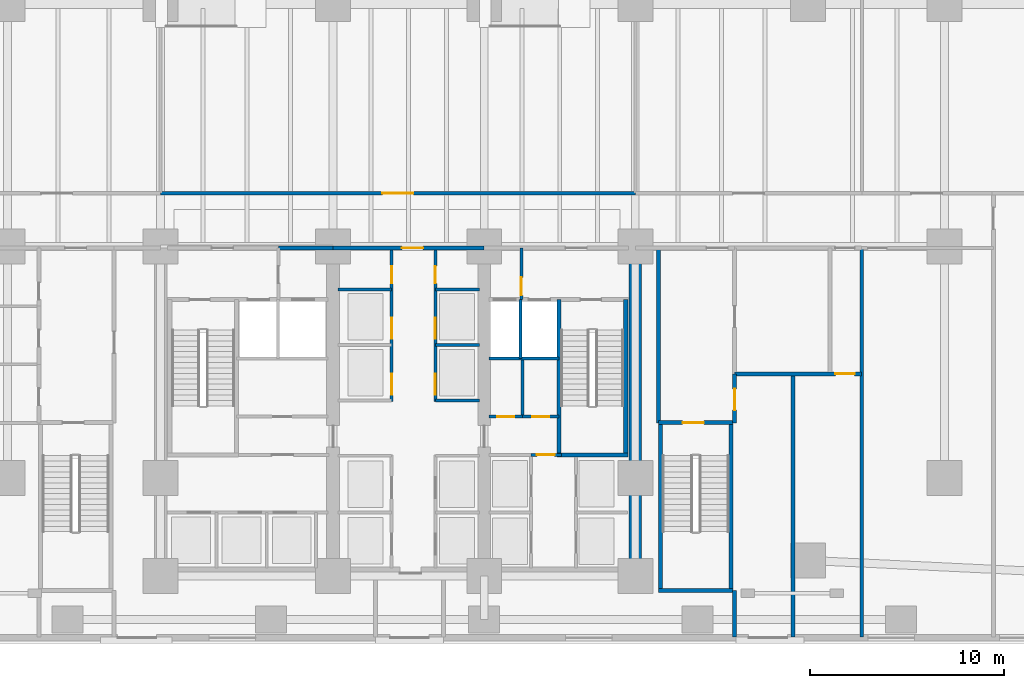
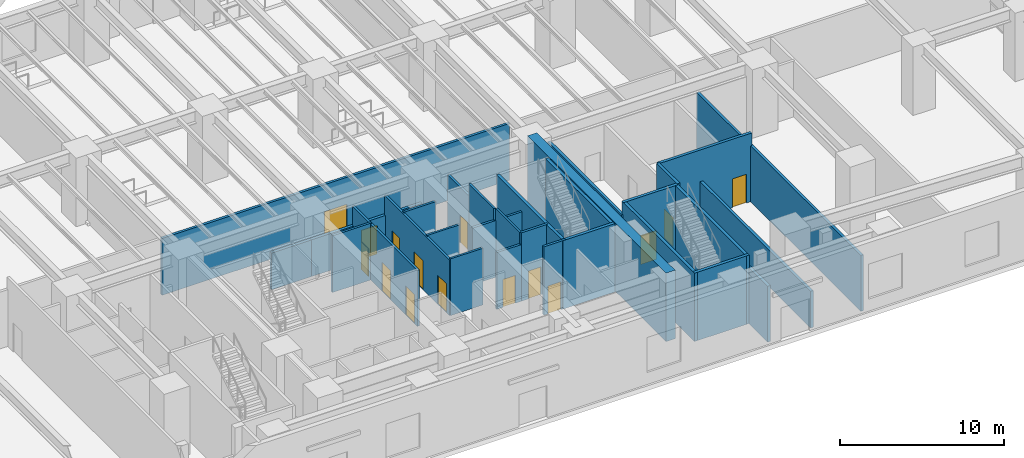
# One storey, part 12 of 19: 30 walls, 15 doors, 15 openings.
"""IFC4 building model written with IfcOpenShell, lengths in metres."""

from ifc_helpers import new_model, si_unit, direction, frame, frame_2d, origin, place, context, subcontext, project, spatial, rectangle, extrude, material, layer, layer_set, type_object, element, fill, save


model = new_model("IFC4")

# Units and contexts
model_context = context("Model", 3, precision=1e-05, world=origin(), true_north=direction((0.0, 1.0)))
body_context = subcontext(model_context, "Body", "Model", "MODEL_VIEW")
ifc_project = project(units=[si_unit("LENGTHUNIT", "METRE"), si_unit("AREAUNIT", "SQUARE_METRE"), si_unit("VOLUMEUNIT", "CUBIC_METRE"), si_unit("PLANEANGLEUNIT", "RADIAN"), si_unit("MASSUNIT", "GRAM", prefix="KILO")], contexts=[model_context])

# Site, building, storey
site_placement = place(None, origin())
site = spatial("IfcSite", under=ifc_project, at=site_placement, CompositionType="ELEMENT")
building_placement = place(site_placement, origin())
building = spatial("IfcBuilding", under=site, at=building_placement, Name="Qalmaran Belvedere Hotel", CompositionType="ELEMENT")
storey_placement = place(building_placement, origin())
storey = spatial("IfcBuildingStorey", under=building, at=storey_placement, Name="L00", CompositionType="ELEMENT", Elevation=0.0)

# Walls
ifc_material_1 = material(Name="Concrete C60/75", Category="concrete")
ifc_layer_1 = layer(ifc_material_1, 0.64990234375, Name="Concrete C60/75")
ifc_layer_set_1 = layer_set([ifc_layer_1], Name="Concrete C60/75")
wall_type_1 = type_object("IfcWallType", Name="WL-CORE-650-C60", PredefinedType="SHEAR", material=ifc_layer_set_1)
wall_1_placement = place(storey_placement, frame((44.800048828125, 3.5, 0.0), z_axis=(0.0, 0.0, 1.0), x_axis=(0.0, 1.0, 0.0)))
element("IfcWall", 1, at=wall_1_placement, inside=storey, type_object=wall_type_1, Name="L00 East Core Shear Wall", PredefinedType="SHEAR", context=body_context, shape_type="SweptSolid", body=[
    extrude(rectangle(XDim=16.89990234375, YDim=0.64990234375, at=frame_2d((8.449951171875, 0.0))), origin(), (0.0, 0.0, 1.0), 5.10009765625),
])
ifc_material_2 = material(Name="Gypsum Stud Partition")
ifc_layer_2 = layer(ifc_material_2, 0.14990234375, Name="Gypsum Stud Partition")
ifc_layer_set_2 = layer_set([ifc_layer_2], Name="Gypsum Stud Partition")
wall_type_2 = type_object("IfcWallType", Name="WL-INT-150-EI120", PredefinedType="PARTITIONING", material=ifc_layer_set_2)
wall_2_placement = place(storey_placement, frame((38.8798828125, 14.719970703125, 0.0), z_axis=(0.0, 0.0, 1.0), x_axis=(0.0, 1.0, 0.0)))
element("IfcWall", 2, at=wall_2_placement, inside=storey, type_object=wall_type_2, Name="L00 Partition WL-FF2M-L00", PredefinedType="PARTITIONING", context=body_context, shape_type="SweptSolid", body=[
    extrude(rectangle(XDim=3.0400390625, YDim=0.14990234375, at=frame_2d((1.52001953125, 0.0))), origin(), (0.0, 0.0, 1.0), 5.10009765625),
])
for number, where, z_axis, x_axis, name in (
    (3, (34.47998046875, 12.550048828125, 0.0), (0.0, 0.0, 1.0), (1.0, 0.0, 0.0), "L00 Partition WL-PME-L00-125"),
    (4, (34.47998046875, 15.419921875, 0.0), (0.0, 0.0, 1.0), (1.0, 0.0, 0.0), "L00 Partition WL-PME-L00-154"),
):
    element("IfcWall", number, at=place(storey_placement, frame(where, z_axis=z_axis, x_axis=x_axis)), inside=storey, type_object=wall_type_2, Name=name, PredefinedType="PARTITIONING", context=body_context, shape_type="SweptSolid", body=[
        extrude(rectangle(XDim=2.27001953125, YDim=0.14990234375, at=frame_2d((1.135009765625, 0.0))), origin(), (0.0, 0.0, 1.0), 4.22998046875),
    ])
wall_3_placement = place(storey_placement, frame((29.449951171875, 18.280029296875, 0.0), z_axis=(0.0, 0.0, 1.0), x_axis=(1.0, 0.0, 0.0)))
element("IfcWall", 5, at=wall_3_placement, inside=storey, type_object=wall_type_2, Name="L00 Partition WL-PMW-L00-182", PredefinedType="PARTITIONING", context=body_context, shape_type="SweptSolid", body=[
    extrude(rectangle(XDim=2.77001953125, YDim=0.14990234375, at=frame_2d((1.385009765625, 0.0))), origin(), (0.0, 0.0, 1.0), 4.22998046875),
])
wall_4_placement = place(storey_placement, frame((34.47998046875, 18.280029296875, 0.0), z_axis=(0.0, 0.0, 1.0), x_axis=(1.0, 0.0, 0.0)))
element("IfcWall", 6, at=wall_4_placement, inside=storey, type_object=wall_type_2, Name="L00 Partition WL-PME-L00-182", PredefinedType="PARTITIONING", context=body_context, shape_type="SweptSolid", body=[
    extrude(rectangle(XDim=2.27001953125, YDim=0.14990234375, at=frame_2d((1.135009765625, 0.0))), origin(), (0.0, 0.0, 1.0), 4.22998046875),
])
ifc_layer_3 = layer(ifc_material_2, 0.14990234375, Name="Gypsum Stud Partition")
ifc_layer_set_3 = layer_set([ifc_layer_3], Name="Gypsum Stud Partition")
wall_type_3 = type_object("IfcWallType", Name="WL-INT-150-EI60", PredefinedType="PARTITIONING", material=ifc_layer_set_3)
wall_5_placement = place(storey_placement, frame((38.98291015625, 11.719970703125, 0.0), z_axis=(0.0, 0.0, 1.0), x_axis=(0.0, 1.0, 0.0)))
element("IfcWall", 7, at=wall_5_placement, inside=storey, type_object=wall_type_3, Name="L00 Partition WL-L00-KEV1", PredefinedType="PARTITIONING", context=body_context, shape_type="SweptSolid", body=[
    extrude(rectangle(XDim=2.929931640625, YDim=0.14990234375, at=frame_2d((1.46484375, 0.0))), origin(), (0.0, 0.0, 1.0), 5.10009765625),
])

# Wall, opening, door
ifc_layer_4 = layer(ifc_material_2, 0.159912109375, Name="Gypsum Stud Partition")
ifc_layer_set_4 = layer_set([ifc_layer_4], Name="Gypsum Stud Partition")
wall_type_4 = type_object("IfcWallType", Name="WL-INT-160-EI120", PredefinedType="PARTITIONING", material=ifc_layer_set_4)
wall_6_placement = place(storey_placement, frame((38.919921875, 17.760009765625, 0.0), z_axis=(0.0, 0.0, 1.0), x_axis=(0.0, 1.0, 0.0)))
wall_6 = element("IfcWall", 8, at=wall_6_placement, inside=storey, type_object=wall_type_4, Name="L00 Partition WL-FFSV2-L00", PredefinedType="PARTITIONING", context=body_context, shape_type="SweptSolid", body=[
    extrude(rectangle(XDim=2.659912109375, YDim=0.159912109375, at=frame_2d((1.330078125, 0.0))), origin(), (0.0, 0.0, 1.0), 4.1640625),
])
opening_1_placement = place(wall_6_placement, frame((1.139892578125, 0.0, 0.0), z_axis=(0.0, 0.0, 1.0), x_axis=(-1.0, 0.0, 0.0)))
opening_1 = element("IfcOpeningElement", 9, at=opening_1_placement, cuts=wall_6, Name="Opening FD60S1", PredefinedType="OPENING", context=body_context, shape_type="SweptSolid", body=[
    extrude(rectangle(XDim=0.919921875, YDim=2.080078125, at=frame_2d((0.4599609375, 1.0400390625))), frame((0.0, 0.08984375, 0.0), z_axis=(0.0, -1.0, 0.0), x_axis=(1.0, 0.0, 0.0)), (0.0, 0.0, 1.0), 0.179931640625),
])
ifc_material_3 = material(Name="Engineered Oak Veneer")
door_type_1 = type_object("IfcDoorType", Name="DR-FD60S-920X2080", OperationType="NOTDEFINED", PredefinedType="DOOR", material=ifc_material_3)
door_1_placement = place(opening_1_placement, origin())
door_1 = element("IfcDoor", 10, at=door_1_placement, inside=storey, type_object=door_type_1, Name="L00 Service Lobby East Door", OperationType="SINGLE_SWING_RIGHT", OverallHeight=2.080078125, OverallWidth=0.919921875, PredefinedType="DOOR", context=body_context, shape_type="SweptSolid", body=[
    extrude(rectangle(XDim=0.919921875, YDim=2.080078125, at=frame_2d((0.4599609375, 1.0400390625))), frame((0.0, 0.02490234375, 0.0), z_axis=(0.0, -1.0, 0.0), x_axis=(1.0, 0.0, 0.0)), (0.0, 0.0, 1.0), 0.050048828125),
])
fill(opening_1, door_1)

# Wall
wall_7_placement = place(storey_placement, frame((37.25, 14.719970703125, 0.0), z_axis=(0.0, 0.0, 1.0), x_axis=(1.0, 0.0, 0.0)))
element("IfcWall", 11, at=wall_7_placement, inside=storey, type_object=wall_type_4, Name="L00 Partition WL-FF2S-L00", PredefinedType="PARTITIONING", context=body_context, shape_type="SweptSolid", body=[
    extrude(rectangle(XDim=3.610107421875, YDim=0.159912109375, at=frame_2d((1.80517578125, 0.0))), origin(), (0.0, 0.0, 1.0), 4.22998046875),
])

# Wall, opening, door
wall_8_placement = place(storey_placement, frame((39.419921875, 9.739990234375, 0.0), z_axis=(0.0, 0.0, 1.0), x_axis=(1.0, 0.0, 0.0)))
wall_8 = element("IfcWall", 12, at=wall_8_placement, inside=storey, type_object=wall_type_4, Name="L00 Partition WL-PHNL-L00", PredefinedType="PARTITIONING", context=body_context, shape_type="SweptSolid", body=[
    extrude(rectangle(XDim=1.56005859375, YDim=0.159912109375, at=frame_2d((0.780029296875, 0.0))), origin(), (0.0, 0.0, 1.0), 5.10009765625),
])
opening_2_placement = place(wall_8_placement, frame((0.300048828125, 0.0, 0.0)))
opening_2 = element("IfcOpeningElement", 13, at=opening_2_placement, cuts=wall_8, Name="Opening FD60S1", PredefinedType="OPENING", context=body_context, shape_type="SweptSolid", body=[
    extrude(rectangle(XDim=0.919921875, YDim=2.080078125, at=frame_2d((0.4599609375, 1.0400390625))), frame((0.0, 0.08984375, 0.0), z_axis=(0.0, -1.0, 0.0), x_axis=(1.0, 0.0, 0.0)), (0.0, 0.0, 1.0), 0.179931640625),
])
door_2_placement = place(opening_2_placement, origin())
door_2 = element("IfcDoor", 14, at=door_2_placement, inside=storey, type_object=door_type_1, Name="L00 High-Rise Lift Lobby Passage Door", OperationType="SINGLE_SWING_RIGHT", OverallHeight=2.080078125, OverallWidth=0.919921875, PredefinedType="DOOR", context=body_context, shape_type="SweptSolid", body=[
    extrude(rectangle(XDim=0.919921875, YDim=2.080078125, at=frame_2d((0.4599609375, 1.0400390625))), frame((0.0, 0.02490234375, 0.0), z_axis=(0.0, -1.0, 0.0), x_axis=(1.0, 0.0, 0.0)), (0.0, 0.0, 1.0), 0.050048828125),
])
fill(opening_2, door_2)

# Wall, openings, doors
wall_9_placement = place(storey_placement, frame((32.219970703125, 12.5, 0.0), z_axis=(0.0, 0.0, 1.0), x_axis=(0.0, 1.0, 0.0)))
wall_9 = element("IfcWall", 15, at=wall_9_placement, inside=storey, type_object=wall_type_4, Name="L00 Partition WL-CLBWN-L00", PredefinedType="PARTITIONING", context=body_context, shape_type="SweptSolid", body=[
    extrude(rectangle(XDim=7.919921875, YDim=0.159912109375, at=frame_2d((3.9599609375, 0.0))), origin(), (0.0, 0.0, 1.0), 4.1640625),
])
opening_3_placement = place(wall_9_placement, frame((1.43017578125, 0.0, 0.0), z_axis=(0.0, 0.0, 1.0), x_axis=(-1.0, 0.0, 0.0)))
opening_3 = element("IfcOpeningElement", 16, at=opening_3_placement, cuts=wall_9, Name="Opening LD-P1", PredefinedType="OPENING", context=body_context, shape_type="SweptSolid", body=[
    extrude(rectangle(XDim=1.080078125, YDim=2.159912109375, at=frame_2d((0.5400390625, 1.080078125))), frame((0.0, 0.08984375, 0.0), z_axis=(0.0, -1.0, 0.0), x_axis=(1.0, 0.0, 0.0)), (0.0, 0.0, 1.0), 0.179931640625),
])
opening_4_placement = place(wall_9_placement, frame((4.330078125, 0.0, 0.0), z_axis=(0.0, 0.0, 1.0), x_axis=(-1.0, 0.0, 0.0)))
opening_4 = element("IfcOpeningElement", 17, at=opening_4_placement, cuts=wall_9, Name="Opening LD-P1", PredefinedType="OPENING", context=body_context, shape_type="SweptSolid", body=[
    extrude(rectangle(XDim=1.080078125, YDim=2.159912109375, at=frame_2d((0.5400390625, 1.080078125))), frame((0.0, 0.08984375, 0.0), z_axis=(0.0, -1.0, 0.0), x_axis=(1.0, 0.0, 0.0)), (0.0, 0.0, 1.0), 0.179931640625),
])
opening_5_placement = place(wall_9_placement, frame((6.10009765625, 0.0, 0.0)))
opening_5 = element("IfcOpeningElement", 18, at=opening_5_placement, cuts=wall_9, Name="Opening FD60B", PredefinedType="OPENING", context=body_context, shape_type="SweptSolid", body=[
    extrude(rectangle(XDim=0.8798828125, YDim=2.080078125, at=frame_2d((0.43994140625, 1.0400390625))), frame((0.0, 0.08984375, 0.0), z_axis=(0.0, -1.0, 0.0), x_axis=(1.0, 0.0, 0.0)), (0.0, 0.0, 1.0), 0.179931640625),
])
ifc_material_4 = material(Name="Steel S355JR", Category="steel")
door_type_2 = type_object("IfcDoorType", Name="DR-FD60B-880X2080", OperationType="NOTDEFINED", PredefinedType="DOOR", material=ifc_material_4)
door_3_placement = place(opening_5_placement, origin())
door_3 = element("IfcDoor", 19, at=door_3_placement, inside=storey, type_object=door_type_2, Name="L00 West Riser Access Door", OperationType="SINGLE_SWING_LEFT", OverallHeight=2.080078125, OverallWidth=0.8798828125, PredefinedType="DOOR", context=body_context, shape_type="SweptSolid", body=[
    extrude(rectangle(XDim=0.8798828125, YDim=2.080078125, at=frame_2d((0.43994140625, 1.0400390625))), frame((0.0, 0.02490234375, 0.0), z_axis=(0.0, -1.0, 0.0), x_axis=(1.0, 0.0, 0.0)), (0.0, 0.0, 1.0), 0.050048828125),
])
fill(opening_5, door_3)
ifc_material_5 = material(Name="Stainless Steel 1.4401", Category="steel")
door_type_3 = type_object("IfcDoorType", Name="DR-LIFT-P1-1080X2160", OperationType="DOUBLE_DOOR_SLIDING", PredefinedType="DOOR", material=ifc_material_5)
door_4_placement = place(opening_3_placement, origin())
door_4 = element("IfcDoor", 20, at=door_4_placement, inside=storey, type_object=door_type_3, Name="L00 PM1 Lift Landing Door", OperationType="DOUBLE_DOOR_SLIDING", OverallHeight=2.159912109375, OverallWidth=1.080078125, PredefinedType="DOOR", context=body_context, shape_type="SweptSolid", body=[
    extrude(rectangle(XDim=1.080078125, YDim=2.159912109375, at=frame_2d((0.5400390625, 1.080078125))), frame((0.0, 0.02490234375, 0.0), z_axis=(0.0, -1.0, 0.0), x_axis=(1.0, 0.0, 0.0)), (0.0, 0.0, 1.0), 0.050048828125),
])
fill(opening_3, door_4)
door_5_placement = place(opening_4_placement, origin())
door_5 = element("IfcDoor", 21, at=door_5_placement, inside=storey, type_object=door_type_3, Name="L00 PM2 Lift Landing Door", OperationType="DOUBLE_DOOR_SLIDING", OverallHeight=2.159912109375, OverallWidth=1.080078125, PredefinedType="DOOR", context=body_context, shape_type="SweptSolid", body=[
    extrude(rectangle(XDim=1.080078125, YDim=2.159912109375, at=frame_2d((0.5400390625, 1.080078125))), frame((0.0, 0.02490234375, 0.0), z_axis=(0.0, -1.0, 0.0), x_axis=(1.0, 0.0, 0.0)), (0.0, 0.0, 1.0), 0.050048828125),
])
fill(opening_4, door_5)

wall_10_placement = place(storey_placement, frame((34.47998046875, 12.5, 0.0), z_axis=(0.0, 0.0, 1.0), x_axis=(0.0, 1.0, 0.0)))
wall_10 = element("IfcWall", 22, at=wall_10_placement, inside=storey, type_object=wall_type_4, Name="L00 Partition WL-CLBEN-L00", PredefinedType="PARTITIONING", context=body_context, shape_type="SweptSolid", body=[
    extrude(rectangle(XDim=7.919921875, YDim=0.159912109375, at=frame_2d((3.9599609375, 0.0))), origin(), (0.0, 0.0, 1.0), 4.1640625),
])
opening_6_placement = place(wall_10_placement, frame((0.35009765625, 0.0, 0.0)))
opening_6 = element("IfcOpeningElement", 23, at=opening_6_placement, cuts=wall_10, Name="Opening LD-P1", PredefinedType="OPENING", context=body_context, shape_type="SweptSolid", body=[
    extrude(rectangle(XDim=1.080078125, YDim=2.159912109375, at=frame_2d((0.5400390625, 1.080078125))), frame((0.0, 0.08984375, 0.0), z_axis=(0.0, -1.0, 0.0), x_axis=(1.0, 0.0, 0.0)), (0.0, 0.0, 1.0), 0.179931640625),
])
opening_7_placement = place(wall_10_placement, frame((3.25, 0.0, 0.0)))
opening_7 = element("IfcOpeningElement", 24, at=opening_7_placement, cuts=wall_10, Name="Opening LD-P1", PredefinedType="OPENING", context=body_context, shape_type="SweptSolid", body=[
    extrude(rectangle(XDim=1.080078125, YDim=2.159912109375, at=frame_2d((0.5400390625, 1.080078125))), frame((0.0, 0.08984375, 0.0), z_axis=(0.0, -1.0, 0.0), x_axis=(1.0, 0.0, 0.0)), (0.0, 0.0, 1.0), 0.179931640625),
])
opening_8_placement = place(wall_10_placement, frame((6.97998046875, 0.0, 0.0), z_axis=(0.0, 0.0, 1.0), x_axis=(-1.0, 0.0, 0.0)))
opening_8 = element("IfcOpeningElement", 25, at=opening_8_placement, cuts=wall_10, Name="Opening FD60B", PredefinedType="OPENING", context=body_context, shape_type="SweptSolid", body=[
    extrude(rectangle(XDim=0.8798828125, YDim=2.080078125, at=frame_2d((0.43994140625, 1.0400390625))), frame((0.0, 0.08984375, 0.0), z_axis=(0.0, -1.0, 0.0), x_axis=(1.0, 0.0, 0.0)), (0.0, 0.0, 1.0), 0.179931640625),
])
door_6_placement = place(opening_8_placement, origin())
door_6 = element("IfcDoor", 26, at=door_6_placement, inside=storey, type_object=door_type_2, Name="L00 East Riser Access Door", OperationType="SINGLE_SWING_RIGHT", OverallHeight=2.080078125, OverallWidth=0.8798828125, PredefinedType="DOOR", context=body_context, shape_type="SweptSolid", body=[
    extrude(rectangle(XDim=0.8798828125, YDim=2.080078125, at=frame_2d((0.43994140625, 1.0400390625))), frame((0.0, 0.02490234375, 0.0), z_axis=(0.0, -1.0, 0.0), x_axis=(1.0, 0.0, 0.0)), (0.0, 0.0, 1.0), 0.050048828125),
])
fill(opening_8, door_6)
door_7_placement = place(opening_6_placement, origin())
door_7 = element("IfcDoor", 27, at=door_7_placement, inside=storey, type_object=door_type_3, Name="L00 PM3 Lift Landing Door", OperationType="DOUBLE_DOOR_SLIDING", OverallHeight=2.159912109375, OverallWidth=1.080078125, PredefinedType="DOOR", context=body_context, shape_type="SweptSolid", body=[
    extrude(rectangle(XDim=1.080078125, YDim=2.159912109375, at=frame_2d((0.5400390625, 1.080078125))), frame((0.0, 0.02490234375, 0.0), z_axis=(0.0, -1.0, 0.0), x_axis=(1.0, 0.0, 0.0)), (0.0, 0.0, 1.0), 0.050048828125),
])
fill(opening_6, door_7)
door_8_placement = place(opening_7_placement, origin())
door_8 = element("IfcDoor", 28, at=door_8_placement, inside=storey, type_object=door_type_3, Name="L00 PM4 Lift Landing Door", OperationType="DOUBLE_DOOR_SLIDING", OverallHeight=2.159912109375, OverallWidth=1.080078125, PredefinedType="DOOR", context=body_context, shape_type="SweptSolid", body=[
    extrude(rectangle(XDim=1.080078125, YDim=2.159912109375, at=frame_2d((0.5400390625, 1.080078125))), frame((0.0, 0.02490234375, 0.0), z_axis=(0.0, -1.0, 0.0), x_axis=(1.0, 0.0, 0.0)), (0.0, 0.0, 1.0), 0.050048828125),
])
fill(opening_7, door_8)

# Wall, opening, door
ifc_layer_5 = layer(ifc_material_2, 0.159912109375, Name="Gypsum Stud Partition")
ifc_layer_set_5 = layer_set([ifc_layer_5], Name="Gypsum Stud Partition")
wall_type_5 = type_object("IfcWallType", Name="WL-INT-160-EI60", PredefinedType="PARTITIONING", material=ifc_layer_set_5)
wall_11_placement = place(storey_placement, frame((37.25, 11.719970703125, 0.0), z_axis=(0.0, 0.0, 1.0), x_axis=(1.0, 0.0, 0.0)))
wall_11 = element("IfcWall", 29, at=wall_11_placement, inside=storey, type_object=wall_type_5, Name="L00 Partition WL-L00-KEE1", PredefinedType="PARTITIONING", context=body_context, shape_type="SweptSolid", body=[
    extrude(rectangle(XDim=1.73291015625, YDim=0.159912109375, at=frame_2d((0.866455078125, 0.0))), origin(), (0.0, 0.0, 1.0), 4.22998046875),
])
opening_9_placement = place(wall_11_placement, frame((0.426513671875, 0.0, 0.0)))
opening_9 = element("IfcOpeningElement", 30, at=opening_9_placement, cuts=wall_11, Name="Opening FD60B", PredefinedType="OPENING", context=body_context, shape_type="SweptSolid", body=[
    extrude(rectangle(XDim=0.8798828125, YDim=2.080078125, at=frame_2d((0.43994140625, 1.0400390625))), frame((0.0, 0.08984375, 0.0), z_axis=(0.0, -1.0, 0.0), x_axis=(1.0, 0.0, 0.0)), (0.0, 0.0, 1.0), 0.179931640625),
])
door_9_placement = place(opening_9_placement, origin())
door_9 = element("IfcDoor", 31, at=door_9_placement, inside=storey, type_object=door_type_2, Name="L00 Cleaner Equipment Store Door", OperationType="SINGLE_SWING_LEFT", OverallHeight=2.080078125, OverallWidth=0.8798828125, PredefinedType="DOOR", context=body_context, shape_type="SweptSolid", body=[
    extrude(rectangle(XDim=0.8798828125, YDim=2.080078125, at=frame_2d((0.43994140625, 1.0400390625))), frame((0.0, 0.02490234375, 0.0), z_axis=(0.0, -1.0, 0.0), x_axis=(1.0, 0.0, 0.0)), (0.0, 0.0, 1.0), 0.050048828125),
])
fill(opening_9, door_9)

wall_12_placement = place(storey_placement, frame((38.98291015625, 11.719970703125, 0.0), z_axis=(0.0, 0.0, 1.0), x_axis=(1.0, 0.0, 0.0)))
wall_12 = element("IfcWall", 32, at=wall_12_placement, inside=storey, type_object=wall_type_5, Name="L00 Partition WL-L00-KEE2", PredefinedType="PARTITIONING", context=body_context, shape_type="SweptSolid", body=[
    extrude(rectangle(XDim=1.877197265625, YDim=0.159912109375, at=frame_2d((0.9384765625, 0.0))), origin(), (0.0, 0.0, 1.0), 5.10009765625),
])
opening_10_placement = place(wall_12_placement, frame((0.49853515625, 0.0, 0.0)))
opening_10 = element("IfcOpeningElement", 33, at=opening_10_placement, cuts=wall_12, Name="Opening FD60B", PredefinedType="OPENING", context=body_context, shape_type="SweptSolid", body=[
    extrude(rectangle(XDim=0.8798828125, YDim=2.080078125, at=frame_2d((0.43994140625, 1.0400390625))), frame((0.0, 0.08984375, 0.0), z_axis=(0.0, -1.0, 0.0), x_axis=(1.0, 0.0, 0.0)), (0.0, 0.0, 1.0), 0.179931640625),
])
door_10_placement = place(opening_10_placement, origin())
door_10 = element("IfcDoor", 34, at=door_10_placement, inside=storey, type_object=door_type_2, Name="L00 Low Voltage Switch Room Door", OperationType="SINGLE_SWING_RIGHT", OverallHeight=2.080078125, OverallWidth=0.8798828125, PredefinedType="DOOR", context=body_context, shape_type="SweptSolid", body=[
    extrude(rectangle(XDim=0.8798828125, YDim=2.080078125, at=frame_2d((0.43994140625, 1.0400390625))), frame((0.0, 0.02490234375, 0.0), z_axis=(0.0, -1.0, 0.0), x_axis=(1.0, 0.0, 0.0)), (0.0, 0.0, 1.0), 0.050048828125),
])
fill(opening_10, door_10)

# Wall
ifc_layer_6 = layer(ifc_material_2, 0.179931640625, Name="Gypsum Stud Partition")
ifc_layer_set_6 = layer_set([ifc_layer_6], Name="Gypsum Stud Partition")
wall_type_6 = type_object("IfcWallType", Name="WL-INT-180-EI60", PredefinedType="PARTITIONING", material=ifc_layer_set_6)
wall_13_placement = place(storey_placement, frame((56.47998046875, 0.35009765625, 0.0), z_axis=(0.0, 0.0, 1.0), x_axis=(0.0, 1.0, 0.0)))
element("IfcWall", 35, at=wall_13_placement, inside=storey, type_object=wall_type_6, Name="L00 Partition WL-L00-VALW", PredefinedType="PARTITIONING", context=body_context, shape_type="SweptSolid", body=[
    extrude(rectangle(XDim=20.06982421875, YDim=0.179931640625, at=frame_2d((10.034912109375, 0.0))), origin(), (0.0, 0.0, 1.0), 4.1640625),
])

# Wall, opening, door
wall_14_placement = place(storey_placement, frame((20.300048828125, 23.25, 0.0), z_axis=(0.0, 0.0, 1.0), x_axis=(1.0, 0.0, 0.0)))
wall_14 = element("IfcWall", 36, at=wall_14_placement, inside=storey, type_object=wall_type_6, Name="L00 Partition WL-L00-GND2", PredefinedType="PARTITIONING", context=body_context, shape_type="SweptSolid", body=[
    extrude(rectangle(XDim=24.5, YDim=0.179931640625, at=frame_2d((12.25, 0.0))), origin(), (0.0, 0.0, 1.0), 4.22998046875),
])
opening_11_placement = place(wall_14_placement, frame((11.449951171875, 0.0, 0.0)))
opening_11 = element("IfcOpeningElement", 37, at=opening_11_placement, cuts=wall_14, Name="Opening FD60D", PredefinedType="OPENING", context=body_context, shape_type="SweptSolid", body=[
    extrude(rectangle(XDim=1.60009765625, YDim=2.219970703125, at=frame_2d((0.800048828125, 1.10986328125))), frame((0.0, 0.10009765625, 0.0), z_axis=(0.0, -1.0, 0.0), x_axis=(1.0, 0.0, 0.0)), (0.0, 0.0, 1.0), 0.199951171875),
])
door_type_4 = type_object("IfcDoorType", Name="DR-FD60D-1600X2220", OperationType="NOTDEFINED", PredefinedType="DOOR", material=ifc_material_3)
door_11_placement = place(opening_11_placement, origin())
door_11 = element("IfcDoor", 38, at=door_11_placement, inside=storey, type_object=door_type_4, Name="L00 Grand Hotel Entrance Lobby Door", OperationType="DOUBLE_DOOR_SINGLE_SWING", OverallHeight=2.219970703125, OverallWidth=1.60009765625, PredefinedType="DOOR", context=body_context, shape_type="SweptSolid", body=[
    extrude(rectangle(XDim=1.60009765625, YDim=2.219970703125, at=frame_2d((0.800048828125, 1.10986328125))), frame((0.0, 0.02490234375, 0.0), z_axis=(0.0, -1.0, 0.0), x_axis=(1.0, 0.0, 0.0)), (0.0, 0.0, 1.0), 0.050048828125),
])
fill(opening_11, door_11)

# Wall
ifc_material_6 = material(Name="Concrete C30/37 Blockwork", Category="masonry")
ifc_layer_7 = layer(ifc_material_6, 0.199951171875, Name="Concrete C30/37 Blockwork")
ifc_layer_set_7 = layer_set([ifc_layer_7], Name="Concrete C30/37 Blockwork")
wall_type_7 = type_object("IfcWallType", Name="WL-INT-200-EI120", PredefinedType="PARTITIONING", material=ifc_layer_set_7)
wall_15_placement = place(storey_placement, frame((26.3798828125, 20.419921875, 0.0), z_axis=(0.0, 0.0, 1.0), x_axis=(1.0, 0.0, 0.0)))
element("IfcWall", 39, at=wall_15_placement, inside=storey, type_object=wall_type_7, Name="L00 Partition WL-CN1B-L00", PredefinedType="PARTITIONING", context=body_context, shape_type="SweptSolid", body=[
    extrude(rectangle(XDim=2.820068359375, YDim=0.199951171875, at=frame_2d((1.41015625, 0.0))), origin(), (0.0, 0.0, 1.0), 2.734619140625),
])

# Wall, opening, door
wall_16_placement = place(storey_placement, frame((29.199951171875, 20.419921875, 0.0), z_axis=(0.0, 0.0, 1.0), x_axis=(1.0, 0.0, 0.0)))
wall_16 = element("IfcWall", 40, at=wall_16_placement, inside=storey, type_object=wall_type_7, Name="L00 Partition WL-CN2-L00", PredefinedType="PARTITIONING", context=body_context, shape_type="SweptSolid", body=[
    extrude(rectangle(XDim=7.800048828125, YDim=0.199951171875, at=frame_2d((3.89990234375, 0.0))), origin(), (0.0, 0.0, 1.0), 2.734619140625),
])
opening_12_placement = place(wall_16_placement, frame((3.550048828125, 0.0, 0.0)))
opening_12 = element("IfcOpeningElement", 41, at=opening_12_placement, cuts=wall_16, Name="Opening FD90", PredefinedType="OPENING", context=body_context, shape_type="SweptSolid", body=[
    extrude(rectangle(XDim=1.10009765625, YDim=2.14990234375, at=frame_2d((0.550048828125, 1.074951171875))), frame((0.0, 0.10986328125, 0.0), z_axis=(0.0, -1.0, 0.0), x_axis=(1.0, 0.0, 0.0)), (0.0, 0.0, 1.0), 0.219970703125),
])
door_type_5 = type_object("IfcDoorType", Name="DR-FD90-1100X2150", OperationType="NOTDEFINED", PredefinedType="DOOR", material=ifc_material_4)
door_12_placement = place(opening_12_placement, origin())
door_12 = element("IfcDoor", 42, at=door_12_placement, inside=storey, type_object=door_type_5, Name="L00 Central Lift Lobby Door", OperationType="SINGLE_SWING_RIGHT", OverallHeight=2.14990234375, OverallWidth=1.10009765625, PredefinedType="DOOR", context=body_context, shape_type="SweptSolid", body=[
    extrude(rectangle(XDim=1.10009765625, YDim=2.14990234375, at=frame_2d((0.550048828125, 1.074951171875))), frame((0.0, 0.02490234375, 0.0), z_axis=(0.0, -1.0, 0.0), x_axis=(1.0, 0.0, 0.0)), (0.0, 0.0, 1.0), 0.050048828125),
])
fill(opening_12, door_12)

# Wall
wall_17_placement = place(storey_placement, frame((46.0, 11.39990234375, 0.0), z_axis=(0.0, 0.0, 1.0), x_axis=(0.0, 1.0, 0.0)))
element("IfcWall", 43, at=wall_17_placement, inside=storey, type_object=wall_type_7, Name="L00 Partition WL-L00-STPE1", PredefinedType="PARTITIONING", context=body_context, shape_type="SweptSolid", body=[
    extrude(rectangle(XDim=9.02001953125, YDim=0.199951171875, at=frame_2d((4.510009765625, 0.0))), origin(), (0.0, 0.0, 1.0), 4.1640625),
])

# Wall, opening, door
wall_18_placement = place(storey_placement, frame((49.919921875, 11.39990234375, 0.0), z_axis=(0.0, 0.0, 1.0), x_axis=(0.0, 1.0, 0.0)))
wall_18 = element("IfcWall", 44, at=wall_18_placement, inside=storey, type_object=wall_type_7, Name="L00 Partition WL-L00-STPE2A", PredefinedType="PARTITIONING", context=body_context, shape_type="SweptSolid", body=[
    extrude(rectangle(XDim=2.52001953125, YDim=0.199951171875, at=frame_2d((1.260009765625, 0.0))), origin(), (0.0, 0.0, 1.0), 5.10009765625),
])
opening_13_placement = place(wall_18_placement, frame((1.75, 0.0, 0.0), z_axis=(0.0, 0.0, 1.0), x_axis=(-1.0, 0.0, 0.0)))
opening_13 = element("IfcOpeningElement", 45, at=opening_13_placement, cuts=wall_18, Name="Opening FD90", PredefinedType="OPENING", context=body_context, shape_type="SweptSolid", body=[
    extrude(rectangle(XDim=1.10009765625, YDim=2.14990234375, at=frame_2d((0.550048828125, 1.074951171875))), frame((0.0, 0.10986328125, 0.0), z_axis=(0.0, -1.0, 0.0), x_axis=(1.0, 0.0, 0.0)), (0.0, 0.0, 1.0), 0.219970703125),
])
door_13_placement = place(opening_13_placement, origin())
door_13 = element("IfcDoor", 46, at=door_13_placement, inside=storey, type_object=door_type_5, Name="L00 East Protected Exit Passageway Door", OperationType="SINGLE_SWING_RIGHT", OverallHeight=2.14990234375, OverallWidth=1.10009765625, PredefinedType="DOOR", context=body_context, shape_type="SweptSolid", body=[
    extrude(rectangle(XDim=1.10009765625, YDim=2.14990234375, at=frame_2d((0.550048828125, 1.074951171875))), frame((0.0, 0.02490234375, 0.0), z_axis=(0.0, -1.0, 0.0), x_axis=(1.0, 0.0, 0.0)), (0.0, 0.0, 1.0), 0.050048828125),
])
fill(opening_13, door_13)

# Wall
wall_19_placement = place(storey_placement, frame((49.919921875, 0.35009765625, 0.0), z_axis=(0.0, 0.0, 1.0), x_axis=(0.0, 1.0, 0.0)))
element("IfcWall", 47, at=wall_19_placement, inside=storey, type_object=wall_type_7, Name="L00 Partition WL-L00-STPE2S", PredefinedType="PARTITIONING", context=body_context, shape_type="SweptSolid", body=[
    extrude(rectangle(XDim=2.39990234375, YDim=0.199951171875, at=frame_2d((1.199951171875, 0.0))), origin(), (0.0, 0.0, 1.0), 4.1640625),
])

# Wall, opening, door
wall_20_placement = place(storey_placement, frame((49.919921875, 13.919921875, 0.0), z_axis=(0.0, 0.0, 1.0), x_axis=(1.0, 0.0, 0.0)))
wall_20 = element("IfcWall", 48, at=wall_20_placement, inside=storey, type_object=wall_type_7, Name="L00 Partition WL-L00-FCCH", PredefinedType="PARTITIONING", context=body_context, shape_type="SweptSolid", body=[
    extrude(rectangle(XDim=6.56005859375, YDim=0.199951171875, at=frame_2d((3.280029296875, 0.0))), origin(), (0.0, 0.0, 1.0), 5.10009765625),
])
opening_14_placement = place(wall_20_placement, frame((6.199951171875, 0.0, 0.0), z_axis=(0.0, 0.0, 1.0), x_axis=(-1.0, 0.0, 0.0)))
opening_14 = element("IfcOpeningElement", 49, at=opening_14_placement, cuts=wall_20, Name="Opening FD90B", PredefinedType="OPENING", context=body_context, shape_type="SweptSolid", body=[
    extrude(rectangle(XDim=1.0, YDim=2.14990234375, at=frame_2d((0.5, 1.074951171875))), frame((0.0, 0.10986328125, 0.0), z_axis=(0.0, -1.0, 0.0), x_axis=(1.0, 0.0, 0.0)), (0.0, 0.0, 1.0), 0.219970703125),
])
door_type_6 = type_object("IfcDoorType", Name="DR-FD90B-1000X2150", OperationType="NOTDEFINED", PredefinedType="DOOR", material=ifc_material_4)
door_14_placement = place(opening_14_placement, origin())
door_14 = element("IfcDoor", 50, at=door_14_placement, inside=storey, type_object=door_type_6, Name="L00 Main Kitchen Service Door", OperationType="SINGLE_SWING_RIGHT", OverallHeight=2.14990234375, OverallWidth=1.0, PredefinedType="DOOR", context=body_context, shape_type="SweptSolid", body=[
    extrude(rectangle(XDim=1.0, YDim=2.14990234375, at=frame_2d((0.5, 1.074951171875))), frame((0.0, 0.02490234375, 0.0), z_axis=(0.0, -1.0, 0.0), x_axis=(1.0, 0.0, 0.0)), (0.0, 0.0, 1.0), 0.050048828125),
])
fill(opening_14, door_14)

# Walls
wall_21_placement = place(storey_placement, frame((52.93994140625, 0.35009765625, 0.0), z_axis=(0.0, 0.0, 1.0), x_axis=(0.0, 1.0, 0.0)))
element("IfcWall", 51, at=wall_21_placement, inside=storey, type_object=wall_type_7, Name="L00 Partition WL-L00-EPPE", PredefinedType="PARTITIONING", context=body_context, shape_type="SweptSolid", body=[
    extrude(rectangle(XDim=13.56982421875, YDim=0.199951171875, at=frame_2d((6.784912109375, 0.0))), origin(), (0.0, 0.0, 1.0), 2.734619140625),
])
ifc_material_7 = material(Name="Concrete C50/60", Category="concrete")
ifc_layer_8 = layer(ifc_material_7, 0.2099609375, Name="Concrete C50/60")
ifc_layer_set_8 = layer_set([ifc_layer_8], Name="Concrete C50/60")
wall_type_8 = type_object("IfcWallType", Name="WL-STAIR-210-C50", PredefinedType="SHEAR", material=ifc_layer_set_8)
for number, where, z_axis, x_axis, name in (
    (52, (40.85498046875, 9.7451171875, 0.0), (0.0, 0.0, 1.0), (0.0, 1.0, 0.0), "L00 Stair ST-2 West Bearing Wall"),
    (53, (44.304931640625, 9.7451171875, 0.0), (0.0, 0.0, 1.0), (0.0, 1.0, 0.0), "L00 Stair ST-2 East Bearing Wall"),
):
    element("IfcWall", number, at=place(storey_placement, frame(where, z_axis=z_axis, x_axis=x_axis)), inside=storey, type_object=wall_type_8, Name=name, PredefinedType="SHEAR", context=body_context, shape_type="SweptSolid", body=[
        extrude(rectangle(XDim=8.009765625, YDim=0.2099609375, at=frame_2d((4.0048828125, 0.0))), origin(), (0.0, 0.0, 1.0), 5.10009765625),
    ])
wall_22_placement = place(storey_placement, frame((40.75, 9.7451171875, 0.0), z_axis=(0.0, 0.0, 1.0), x_axis=(1.0, 0.0, 0.0)))
element("IfcWall", 54, at=wall_22_placement, inside=storey, type_object=wall_type_8, Name="L00 Stair ST-2 South Bearing Wall", PredefinedType="SHEAR", context=body_context, shape_type="SweptSolid", body=[
    extrude(rectangle(XDim=3.659912109375, YDim=0.2099609375, at=frame_2d((1.830078125, 0.0))), origin(), (0.0, 0.0, 1.0), 5.10009765625),
])
for number, where, z_axis, x_axis, name in (
    (55, (46.094970703125, 2.639892578125, 0.0), (0.0, 0.0, 1.0), (0.0, 1.0, 0.0), "L00 Podium Stair STP2 West Bearing Wall"),
    (56, (49.7451171875, 2.639892578125, 0.0), (0.0, 0.0, 1.0), (0.0, 1.0, 0.0), "L00 Podium Stair STP2 East Bearing Wall"),
):
    element("IfcWall", number, at=place(storey_placement, frame(where, z_axis=z_axis, x_axis=x_axis)), inside=storey, type_object=wall_type_8, Name=name, PredefinedType="SHEAR", context=body_context, shape_type="SweptSolid", body=[
        extrude(rectangle(XDim=8.8701171875, YDim=0.2099609375, at=frame_2d((4.43505859375, 0.0))), origin(), (0.0, 0.0, 1.0), 5.10009765625),
    ])
wall_23_placement = place(storey_placement, frame((45.989990234375, 2.7451171875, 0.0), z_axis=(0.0, 0.0, 1.0), x_axis=(1.0, 0.0, 0.0)))
element("IfcWall", 57, at=wall_23_placement, inside=storey, type_object=wall_type_8, Name="L00 Podium Stair STP2 South Bearing Wall", PredefinedType="SHEAR", context=body_context, shape_type="SweptSolid", body=[
    extrude(rectangle(XDim=3.860107421875, YDim=0.2099609375, at=frame_2d((1.93017578125, 0.0))), origin(), (0.0, 0.0, 1.0), 5.10009765625),
])

# Wall, opening, door
wall_24_placement = place(storey_placement, frame((45.989990234375, 11.405029296875, 0.0), z_axis=(0.0, 0.0, 1.0), x_axis=(1.0, 0.0, 0.0)))
wall_24 = element("IfcWall", 58, at=wall_24_placement, inside=storey, type_object=wall_type_8, Name="L00 Podium Stair STP2 North Bearing Wall", PredefinedType="SHEAR", context=body_context, shape_type="SweptSolid", body=[
    extrude(rectangle(XDim=3.860107421875, YDim=0.2099609375, at=frame_2d((1.93017578125, 0.0))), origin(), (0.0, 0.0, 1.0), 5.10009765625),
])
opening_15_placement = place(wall_24_placement, frame((1.25, 0.0, 0.0)))
opening_15 = element("IfcOpeningElement", 59, at=opening_15_placement, cuts=wall_24, Name="Opening FD90", PredefinedType="OPENING", context=body_context, shape_type="SweptSolid", body=[
    extrude(rectangle(XDim=1.10009765625, YDim=2.14990234375, at=frame_2d((0.550048828125, 1.074951171875))), frame((0.0, 0.114990234375, 0.0), z_axis=(0.0, -1.0, 0.0), x_axis=(1.0, 0.0, 0.0)), (0.0, 0.0, 1.0), 0.22998046875),
])
door_15_placement = place(opening_15_placement, origin())
door_15 = element("IfcDoor", 60, at=door_15_placement, inside=storey, type_object=door_type_5, Name="L00 Stair ST-P2 Door", OperationType="SINGLE_SWING_LEFT", OverallHeight=2.14990234375, OverallWidth=1.10009765625, PredefinedType="DOOR", context=body_context, shape_type="SweptSolid", body=[
    extrude(rectangle(XDim=1.10009765625, YDim=2.14990234375, at=frame_2d((0.550048828125, 1.074951171875))), frame((0.0, 0.02490234375, 0.0), z_axis=(0.0, -1.0, 0.0), x_axis=(1.0, 0.0, 0.0)), (0.0, 0.0, 1.0), 0.050048828125),
])
fill(opening_15, door_15)

save(model, "model.ifc")
